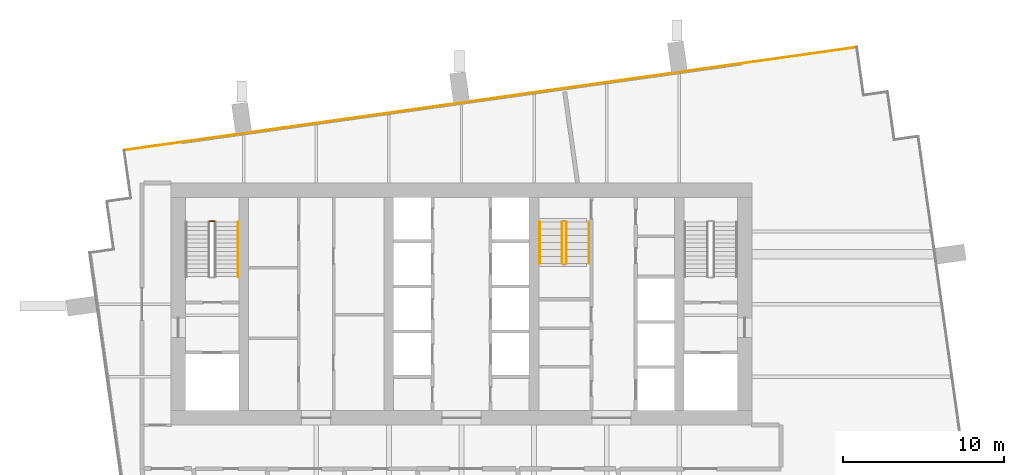
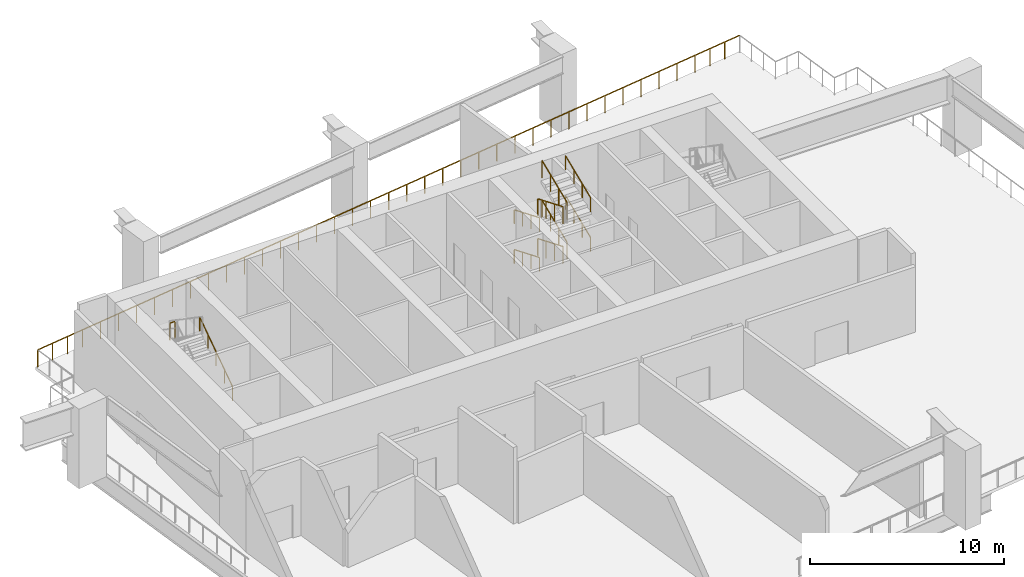
# One storey, part 9 of 10: 11 railings.
"""IFC4 building model written with IfcOpenShell, lengths in metres."""

from ifc_helpers import new_model, si_unit, direction, frame, origin, origin_2d, place, context, subcontext, project, spatial, rectangle, extrude, material, type_object, element, save


model = new_model("IFC4")

# Units and contexts
model_context = context("Model", 3, precision=1e-05, world=origin(), true_north=direction((0.0, 1.0)))
body_context = subcontext(model_context, "Body", "Model", "MODEL_VIEW")
ifc_project = project(units=[si_unit("LENGTHUNIT", "METRE"), si_unit("AREAUNIT", "SQUARE_METRE"), si_unit("VOLUMEUNIT", "CUBIC_METRE"), si_unit("PLANEANGLEUNIT", "RADIAN"), si_unit("MASSUNIT", "GRAM", prefix="KILO")], contexts=[model_context])

# Site, building, storey
site_placement = place(None, origin())
site = spatial("IfcSite", under=ifc_project, at=site_placement, CompositionType="ELEMENT")
building_placement = place(site_placement, origin())
building = spatial("IfcBuilding", under=site, at=building_placement, Name="Rattan Terrace Tower", CompositionType="ELEMENT")
storey_placement = place(building_placement, frame((0.0, 0.0, 244.699951171875)))
storey = spatial("IfcBuildingStorey", under=building, at=storey_placement, Name="L56", CompositionType="ELEMENT", Elevation=244.699951171875)

# Railings
ifc_material_1 = material(Name="Powder-coated steel guard", Category="steel")
railing_type_1 = type_object("IfcRailingType", Name="Core stair guard", PredefinedType="GUARDRAIL", material=ifc_material_1)
railing_1_placement = place(storey_placement, frame((-15.300048828125, 5.1298828125, 2.5)))
element("IfcRailing", 1, at=railing_1_placement, inside=storey, type_object=railing_type_1, Name="L56 S1 stair guard 2", PredefinedType="GUARDRAIL", context=body_context, shape_type="SweptSolid", body=[
    extrude(rectangle(XDim=0.048095703125, YDim=0.048095703125, at=origin_2d()), frame((0.0, 0.0, 1.076171875), z_axis=(-1.0, 0.0, 0.0), x_axis=(0.0, -1.0, 0.0)), (0.0, 0.0, 1.0), 0.300048828125),
    extrude(rectangle(XDim=0.0419921875, YDim=0.0419921875, at=origin_2d()), origin(), (0.0, 0.0, 1.0), 1.052001953125),
    extrude(rectangle(XDim=0.0419921875, YDim=0.0419921875, at=origin_2d()), frame((-0.300048828125, 0.0, 0.0)), (0.0, 0.0, 1.0), 1.052001953125),
])
railing_2_placement = place(storey_placement, frame((6.25, 5.10009765625, 0.1787109375)))
element("IfcRailing", 2, at=railing_2_placement, inside=storey, type_object=railing_type_1, Name="L56 S3 stair guard 1", PredefinedType="GUARDRAIL", context=body_context, shape_type="SweptSolid", body=[
    extrude(rectangle(XDim=0.048095703125, YDim=0.048095703125, at=origin_2d()), frame((0.0, 0.0, 1.076171875), z_axis=(0.0, -0.923551956913, 0.383473314433), x_axis=(1.0, 0.0, 0.0)), (0.0, 0.0, 1.0), 2.793701171875),
    extrude(rectangle(XDim=0.0419921875, YDim=0.0419921875, at=origin_2d()), origin(), (0.0, 0.0, 1.0), 1.052001953125),
    extrude(rectangle(XDim=0.0419921875, YDim=0.0419921875, at=origin_2d()), frame((0.0, -0.860107421875, 0.357177734375)), (0.0, 0.0, 1.0), 1.052001953125),
    extrude(rectangle(XDim=0.0419921875, YDim=0.0419921875, at=origin_2d()), frame((0.0, -1.719970703125, 0.714111328125)), (0.0, 0.0, 1.0), 1.052001953125),
    extrude(rectangle(XDim=0.0419921875, YDim=0.0419921875, at=origin_2d()), frame((0.0, -2.580078125, 1.0712890625)), (0.0, 0.0, 1.0), 1.052001953125),
])
railing_3_placement = place(storey_placement, frame((6.5, 2.52001953125, 1.4287109375)))
element("IfcRailing", 3, at=railing_3_placement, inside=storey, type_object=railing_type_1, Name="L56 S3 stair guard 3", PredefinedType="GUARDRAIL", context=body_context, shape_type="SweptSolid", body=[
    extrude(rectangle(XDim=0.048095703125, YDim=0.048095703125, at=origin_2d()), frame((0.0, 0.0, 1.076171875), z_axis=(0.0, 0.923551956913, 0.383473314433), x_axis=(-1.0, 0.0, 0.0)), (0.0, 0.0, 1.0), 2.793701171875),
    extrude(rectangle(XDim=0.0419921875, YDim=0.0419921875, at=origin_2d()), origin(), (0.0, 0.0, 1.0), 1.052001953125),
    extrude(rectangle(XDim=0.0419921875, YDim=0.0419921875, at=origin_2d()), frame((0.0, 0.860107421875, 0.357177734375)), (0.0, 0.0, 1.0), 1.052001953125),
    extrude(rectangle(XDim=0.0419921875, YDim=0.0419921875, at=origin_2d()), frame((0.0, 1.719970703125, 0.714111328125)), (0.0, 0.0, 1.0), 1.052001953125),
    extrude(rectangle(XDim=0.0419921875, YDim=0.0419921875, at=origin_2d()), frame((0.0, 2.580078125, 1.0712890625)), (0.0, 0.0, 1.0), 1.052001953125),
])
railing_4_placement = place(storey_placement, frame((6.25, 5.10009765625, 2.6787109375)))
element("IfcRailing", 4, at=railing_4_placement, inside=storey, type_object=railing_type_1, Name="L56 S3 stair guard 5", PredefinedType="GUARDRAIL", context=body_context, shape_type="SweptSolid", body=[
    extrude(rectangle(XDim=0.048095703125, YDim=0.048095703125, at=origin_2d()), frame((0.0, 0.0, 1.076171875), z_axis=(0.0, -0.923551956913, 0.383473314433), x_axis=(1.0, 0.0, 0.0)), (0.0, 0.0, 1.0), 2.793701171875),
    extrude(rectangle(XDim=0.0419921875, YDim=0.0419921875, at=origin_2d()), origin(), (0.0, 0.0, 1.0), 1.052001953125),
    extrude(rectangle(XDim=0.0419921875, YDim=0.0419921875, at=origin_2d()), frame((0.0, -0.860107421875, 0.357177734375)), (0.0, 0.0, 1.0), 1.052001953125),
    extrude(rectangle(XDim=0.0419921875, YDim=0.0419921875, at=origin_2d()), frame((0.0, -1.719970703125, 0.714111328125)), (0.0, 0.0, 1.0), 1.052001953125),
    extrude(rectangle(XDim=0.0419921875, YDim=0.0419921875, at=origin_2d()), frame((0.0, -2.580078125, 1.0712890625)), (0.0, 0.0, 1.0), 1.052001953125),
])
railing_5_placement = place(storey_placement, frame((6.5, 2.52001953125, 3.9287109375)))
element("IfcRailing", 5, at=railing_5_placement, inside=storey, type_object=railing_type_1, Name="L56 S3 stair guard 7", PredefinedType="GUARDRAIL", context=body_context, shape_type="SweptSolid", body=[
    extrude(rectangle(XDim=0.048095703125, YDim=0.048095703125, at=origin_2d()), frame((0.0, 0.0, 1.076171875), z_axis=(0.0, 0.923551956913, 0.383473314433), x_axis=(-1.0, 0.0, 0.0)), (0.0, 0.0, 1.0), 2.793701171875),
    extrude(rectangle(XDim=0.0419921875, YDim=0.0419921875, at=origin_2d()), origin(), (0.0, 0.0, 1.0), 1.052001953125),
    extrude(rectangle(XDim=0.0419921875, YDim=0.0419921875, at=origin_2d()), frame((0.0, 0.860107421875, 0.357177734375)), (0.0, 0.0, 1.0), 1.052001953125),
    extrude(rectangle(XDim=0.0419921875, YDim=0.0419921875, at=origin_2d()), frame((0.0, 1.719970703125, 0.714111328125)), (0.0, 0.0, 1.0), 1.052001953125),
    extrude(rectangle(XDim=0.0419921875, YDim=0.0419921875, at=origin_2d()), frame((0.0, 2.580078125, 1.0712890625)), (0.0, 0.0, 1.0), 1.052001953125),
])
ifc_material_2 = material(Name="Powder-coated steel handrail", Category="steel")
railing_type_2 = type_object("IfcRailingType", Name="Core stair handrail", PredefinedType="HANDRAIL", material=ifc_material_2)
railing_6_placement = place(storey_placement, frame((-13.85009765625, 1.699951171875, 0.1787109375)))
element("IfcRailing", 6, at=railing_6_placement, inside=storey, type_object=railing_type_2, Name="L56 S1 stair handrail 1", PredefinedType="HANDRAIL", context=body_context, shape_type="SweptSolid", body=[
    extrude(rectangle(XDim=0.048095703125, YDim=0.048095703125, at=origin_2d()), frame((0.0, 0.0, 0.8759765625), z_axis=(0.0, 0.824331935682, 0.566106756552), x_axis=(-1.0, 0.0, 0.0)), (0.0, 0.0, 1.0), 4.100341796875),
    extrude(rectangle(XDim=0.0419921875, YDim=0.0419921875, at=origin_2d()), origin(), (0.0, 0.0, 1.0), 0.851806640625),
    extrude(rectangle(XDim=0.0419921875, YDim=0.0419921875, at=origin_2d()), frame((0.0, 0.844970703125, 0.580322265625)), (0.0, 0.0, 1.0), 0.851806640625),
    extrude(rectangle(XDim=0.0419921875, YDim=0.0419921875, at=origin_2d()), frame((0.0, 1.68994140625, 1.16064453125)), (0.0, 0.0, 1.0), 0.851806640625),
    extrude(rectangle(XDim=0.0419921875, YDim=0.0419921875, at=origin_2d()), frame((0.0, 2.53515625, 1.740966796875)), (0.0, 0.0, 1.0), 0.851806640625),
    extrude(rectangle(XDim=0.0419921875, YDim=0.0419921875, at=origin_2d()), frame((0.0, 3.380126953125, 2.3212890625)), (0.0, 0.0, 1.0), 0.851806640625),
])
railing_7_placement = place(storey_placement, frame((4.85009765625, 5.10009765625, 0.1787109375)))
element("IfcRailing", 7, at=railing_7_placement, inside=storey, type_object=railing_type_2, Name="L56 S3 stair handrail 1", PredefinedType="HANDRAIL", context=body_context, shape_type="SweptSolid", body=[
    extrude(rectangle(XDim=0.048095703125, YDim=0.048095703125, at=origin_2d()), frame((0.0, 0.0, 0.8759765625), z_axis=(0.0, -0.923551956913, 0.383473314433), x_axis=(1.0, 0.0, 0.0)), (0.0, 0.0, 1.0), 2.793701171875),
    extrude(rectangle(XDim=0.0419921875, YDim=0.0419921875, at=origin_2d()), origin(), (0.0, 0.0, 1.0), 0.851806640625),
    extrude(rectangle(XDim=0.0419921875, YDim=0.0419921875, at=origin_2d()), frame((0.0, -0.860107421875, 0.357177734375)), (0.0, 0.0, 1.0), 0.851806640625),
    extrude(rectangle(XDim=0.0419921875, YDim=0.0419921875, at=origin_2d()), frame((0.0, -1.719970703125, 0.714111328125)), (0.0, 0.0, 1.0), 0.851806640625),
    extrude(rectangle(XDim=0.0419921875, YDim=0.0419921875, at=origin_2d()), frame((0.0, -2.580078125, 1.0712890625)), (0.0, 0.0, 1.0), 0.851806640625),
])
railing_8_placement = place(storey_placement, frame((7.89990234375, 2.52001953125, 1.4287109375)))
element("IfcRailing", 8, at=railing_8_placement, inside=storey, type_object=railing_type_2, Name="L56 S3 stair handrail 2", PredefinedType="HANDRAIL", context=body_context, shape_type="SweptSolid", body=[
    extrude(rectangle(XDim=0.048095703125, YDim=0.048095703125, at=origin_2d()), frame((0.0, 0.0, 0.8759765625), z_axis=(0.0, 0.923551956913, 0.383473314433), x_axis=(-1.0, 0.0, 0.0)), (0.0, 0.0, 1.0), 2.793701171875),
    extrude(rectangle(XDim=0.0419921875, YDim=0.0419921875, at=origin_2d()), origin(), (0.0, 0.0, 1.0), 0.851806640625),
    extrude(rectangle(XDim=0.0419921875, YDim=0.0419921875, at=origin_2d()), frame((0.0, 0.860107421875, 0.357177734375)), (0.0, 0.0, 1.0), 0.851806640625),
    extrude(rectangle(XDim=0.0419921875, YDim=0.0419921875, at=origin_2d()), frame((0.0, 1.719970703125, 0.714111328125)), (0.0, 0.0, 1.0), 0.851806640625),
    extrude(rectangle(XDim=0.0419921875, YDim=0.0419921875, at=origin_2d()), frame((0.0, 2.580078125, 1.0712890625)), (0.0, 0.0, 1.0), 0.851806640625),
])
railing_9_placement = place(storey_placement, frame((4.85009765625, 5.10009765625, 2.6787109375)))
element("IfcRailing", 9, at=railing_9_placement, inside=storey, type_object=railing_type_2, Name="L56 S3 stair handrail 3", PredefinedType="HANDRAIL", context=body_context, shape_type="SweptSolid", body=[
    extrude(rectangle(XDim=0.048095703125, YDim=0.048095703125, at=origin_2d()), frame((0.0, 0.0, 0.8759765625), z_axis=(0.0, -0.923551956913, 0.383473314433), x_axis=(1.0, 0.0, 0.0)), (0.0, 0.0, 1.0), 2.793701171875),
    extrude(rectangle(XDim=0.0419921875, YDim=0.0419921875, at=origin_2d()), origin(), (0.0, 0.0, 1.0), 0.851806640625),
    extrude(rectangle(XDim=0.0419921875, YDim=0.0419921875, at=origin_2d()), frame((0.0, -0.860107421875, 0.357177734375)), (0.0, 0.0, 1.0), 0.851806640625),
    extrude(rectangle(XDim=0.0419921875, YDim=0.0419921875, at=origin_2d()), frame((0.0, -1.719970703125, 0.714111328125)), (0.0, 0.0, 1.0), 0.851806640625),
    extrude(rectangle(XDim=0.0419921875, YDim=0.0419921875, at=origin_2d()), frame((0.0, -2.580078125, 1.0712890625)), (0.0, 0.0, 1.0), 0.851806640625),
])
railing_10_placement = place(storey_placement, frame((7.89990234375, 2.52001953125, 3.9287109375)))
element("IfcRailing", 10, at=railing_10_placement, inside=storey, type_object=railing_type_2, Name="L56 S3 stair handrail 4", PredefinedType="HANDRAIL", context=body_context, shape_type="SweptSolid", body=[
    extrude(rectangle(XDim=0.048095703125, YDim=0.048095703125, at=origin_2d()), frame((0.0, 0.0, 0.8759765625), z_axis=(0.0, 0.923551956913, 0.383473314433), x_axis=(-1.0, 0.0, 0.0)), (0.0, 0.0, 1.0), 2.793701171875),
    extrude(rectangle(XDim=0.0419921875, YDim=0.0419921875, at=origin_2d()), origin(), (0.0, 0.0, 1.0), 0.851806640625),
    extrude(rectangle(XDim=0.0419921875, YDim=0.0419921875, at=origin_2d()), frame((0.0, 0.860107421875, 0.357177734375)), (0.0, 0.0, 1.0), 0.851806640625),
    extrude(rectangle(XDim=0.0419921875, YDim=0.0419921875, at=origin_2d()), frame((0.0, 1.719970703125, 0.714111328125)), (0.0, 0.0, 1.0), 0.851806640625),
    extrude(rectangle(XDim=0.0419921875, YDim=0.0419921875, at=origin_2d()), frame((0.0, 2.580078125, 1.0712890625)), (0.0, 0.0, 1.0), 0.851806640625),
])
ifc_material_3 = material(Name="Stainless steel 316", Category="steel")
railing_type_3 = type_object("IfcRailingType", Name="Facade Guard 1100", PredefinedType="GUARDRAIL", material=ifc_material_3)
railing_11_placement = place(storey_placement, frame((-20.89990234375, 9.541015625, 0.0)))
element("IfcRailing", 11, at=railing_11_placement, inside=storey, type_object=railing_type_3, Name="Guard L56-11", PredefinedType="GUARDRAIL", context=body_context, shape_type="SweptSolid", body=[
    extrude(rectangle(XDim=0.048095703125, YDim=0.048095703125, at=origin_2d()), frame((0.0, 0.0, 1.076171875), z_axis=(0.990241622406, 0.13936114686, 0.0), x_axis=(-0.13936114686, 0.990241622406, 0.0)), (0.0, 0.0, 1.0), 2.92041015625),
    extrude(rectangle(XDim=0.048095703125, YDim=0.048095703125, at=origin_2d()), frame((2.891845703125, 0.406982421875, 1.076171875), z_axis=(0.990267872444, 0.139174497682, 0.0), x_axis=(-0.139174497682, 0.990267872444, 0.0)), (0.0, 0.0, 1.0), 39.999267578125),
    extrude(rectangle(XDim=0.048095703125, YDim=0.048095703125, at=origin_2d()), frame((42.501953125, 5.973876953125, 1.076171875), z_axis=(0.990287717845, 0.139033218639, 0.0), x_axis=(-0.139033218639, 0.990287717845, 0.0)), (0.0, 0.0, 1.0), 2.920166015625),
    extrude(rectangle(XDim=0.0419921875, YDim=0.0419921875, at=origin_2d()), origin(), (0.0, 0.0, 1.0), 1.052001953125),
    extrude(rectangle(XDim=0.0419921875, YDim=0.0419921875, at=origin_2d()), frame((0.9638671875, 0.1357421875, 0.0)), (0.0, 0.0, 1.0), 1.052001953125),
    extrude(rectangle(XDim=0.0419921875, YDim=0.0419921875, at=origin_2d()), frame((1.927978515625, 0.271240234375, 0.0)), (0.0, 0.0, 1.0), 1.052001953125),
    extrude(rectangle(XDim=0.0419921875, YDim=0.0419921875, at=origin_2d()), frame((2.891845703125, 0.406982421875, 0.0)), (0.0, 0.0, 1.0), 1.052001953125),
    extrude(rectangle(XDim=0.0419921875, YDim=0.0419921875, at=origin_2d()), frame((4.056884765625, 0.57080078125, 0.0)), (0.0, 0.0, 1.0), 1.052001953125),
    extrude(rectangle(XDim=0.0419921875, YDim=0.0419921875, at=origin_2d()), frame((5.221923828125, 0.734375, 0.0)), (0.0, 0.0, 1.0), 1.052001953125),
    extrude(rectangle(XDim=0.0419921875, YDim=0.0419921875, at=origin_2d()), frame((6.386962890625, 0.898193359375, 0.0)), (0.0, 0.0, 1.0), 1.052001953125),
    extrude(rectangle(XDim=0.0419921875, YDim=0.0419921875, at=origin_2d()), frame((7.5517578125, 1.06201171875, 0.0)), (0.0, 0.0, 1.0), 1.052001953125),
    extrude(rectangle(XDim=0.0419921875, YDim=0.0419921875, at=origin_2d()), frame((8.716796875, 1.2255859375, 0.0)), (0.0, 0.0, 1.0), 1.052001953125),
    extrude(rectangle(XDim=0.0419921875, YDim=0.0419921875, at=origin_2d()), frame((9.8818359375, 1.389404296875, 0.0)), (0.0, 0.0, 1.0), 1.052001953125),
    extrude(rectangle(XDim=0.0419921875, YDim=0.0419921875, at=origin_2d()), frame((11.046875, 1.55322265625, 0.0)), (0.0, 0.0, 1.0), 1.052001953125),
    extrude(rectangle(XDim=0.0419921875, YDim=0.0419921875, at=origin_2d()), frame((12.2119140625, 1.716796875, 0.0)), (0.0, 0.0, 1.0), 1.052001953125),
    extrude(rectangle(XDim=0.0419921875, YDim=0.0419921875, at=origin_2d()), frame((13.376953125, 1.880615234375, 0.0)), (0.0, 0.0, 1.0), 1.052001953125),
    extrude(rectangle(XDim=0.0419921875, YDim=0.0419921875, at=origin_2d()), frame((14.5419921875, 2.044189453125, 0.0)), (0.0, 0.0, 1.0), 1.052001953125),
    extrude(rectangle(XDim=0.0419921875, YDim=0.0419921875, at=origin_2d()), frame((15.706787109375, 2.2080078125, 0.0)), (0.0, 0.0, 1.0), 1.052001953125),
    extrude(rectangle(XDim=0.0419921875, YDim=0.0419921875, at=origin_2d()), frame((16.871826171875, 2.371826171875, 0.0)), (0.0, 0.0, 1.0), 1.052001953125),
    extrude(rectangle(XDim=0.0419921875, YDim=0.0419921875, at=origin_2d()), frame((18.036865234375, 2.535400390625, 0.0)), (0.0, 0.0, 1.0), 1.052001953125),
    extrude(rectangle(XDim=0.0419921875, YDim=0.0419921875, at=origin_2d()), frame((19.201904296875, 2.69921875, 0.0)), (0.0, 0.0, 1.0), 1.052001953125),
    extrude(rectangle(XDim=0.0419921875, YDim=0.0419921875, at=origin_2d()), frame((20.366943359375, 2.863037109375, 0.0)), (0.0, 0.0, 1.0), 1.052001953125),
    extrude(rectangle(XDim=0.0419921875, YDim=0.0419921875, at=origin_2d()), frame((21.531982421875, 3.026611328125, 0.0)), (0.0, 0.0, 1.0), 1.052001953125),
    extrude(rectangle(XDim=0.0419921875, YDim=0.0419921875, at=origin_2d()), frame((22.69677734375, 3.1904296875, 0.0)), (0.0, 0.0, 1.0), 1.052001953125),
    extrude(rectangle(XDim=0.0419921875, YDim=0.0419921875, at=origin_2d()), frame((23.86181640625, 3.354248046875, 0.0)), (0.0, 0.0, 1.0), 1.052001953125),
    extrude(rectangle(XDim=0.0419921875, YDim=0.0419921875, at=origin_2d()), frame((25.02685546875, 3.517822265625, 0.0)), (0.0, 0.0, 1.0), 1.052001953125),
    extrude(rectangle(XDim=0.0419921875, YDim=0.0419921875, at=origin_2d()), frame((26.19189453125, 3.681640625, 0.0)), (0.0, 0.0, 1.0), 1.052001953125),
    extrude(rectangle(XDim=0.0419921875, YDim=0.0419921875, at=origin_2d()), frame((27.35693359375, 3.845458984375, 0.0)), (0.0, 0.0, 1.0), 1.052001953125),
    extrude(rectangle(XDim=0.0419921875, YDim=0.0419921875, at=origin_2d()), frame((28.52197265625, 4.009033203125, 0.0)), (0.0, 0.0, 1.0), 1.052001953125),
    extrude(rectangle(XDim=0.0419921875, YDim=0.0419921875, at=origin_2d()), frame((29.68701171875, 4.1728515625, 0.0)), (0.0, 0.0, 1.0), 1.052001953125),
    extrude(rectangle(XDim=0.0419921875, YDim=0.0419921875, at=origin_2d()), frame((30.851806640625, 4.336669921875, 0.0)), (0.0, 0.0, 1.0), 1.052001953125),
    extrude(rectangle(XDim=0.0419921875, YDim=0.0419921875, at=origin_2d()), frame((32.016845703125, 4.500244140625, 0.0)), (0.0, 0.0, 1.0), 1.052001953125),
    extrude(rectangle(XDim=0.0419921875, YDim=0.0419921875, at=origin_2d()), frame((33.181884765625, 4.6640625, 0.0)), (0.0, 0.0, 1.0), 1.052001953125),
    extrude(rectangle(XDim=0.0419921875, YDim=0.0419921875, at=origin_2d()), frame((34.346923828125, 4.82763671875, 0.0)), (0.0, 0.0, 1.0), 1.052001953125),
    extrude(rectangle(XDim=0.0419921875, YDim=0.0419921875, at=origin_2d()), frame((35.511962890625, 4.991455078125, 0.0)), (0.0, 0.0, 1.0), 1.052001953125),
    extrude(rectangle(XDim=0.0419921875, YDim=0.0419921875, at=origin_2d()), frame((36.677001953125, 5.1552734375, 0.0)), (0.0, 0.0, 1.0), 1.052001953125),
    extrude(rectangle(XDim=0.0419921875, YDim=0.0419921875, at=origin_2d()), frame((37.842041015625, 5.31884765625, 0.0)), (0.0, 0.0, 1.0), 1.052001953125),
    extrude(rectangle(XDim=0.0419921875, YDim=0.0419921875, at=origin_2d()), frame((39.0068359375, 5.482666015625, 0.0)), (0.0, 0.0, 1.0), 1.052001953125),
    extrude(rectangle(XDim=0.0419921875, YDim=0.0419921875, at=origin_2d()), frame((40.171875, 5.646484375, 0.0)), (0.0, 0.0, 1.0), 1.052001953125),
    extrude(rectangle(XDim=0.0419921875, YDim=0.0419921875, at=origin_2d()), frame((41.3369140625, 5.81005859375, 0.0)), (0.0, 0.0, 1.0), 1.052001953125),
    extrude(rectangle(XDim=0.0419921875, YDim=0.0419921875, at=origin_2d()), frame((42.501953125, 5.973876953125, 0.0)), (0.0, 0.0, 1.0), 1.052001953125),
    extrude(rectangle(XDim=0.0419921875, YDim=0.0419921875, at=origin_2d()), frame((43.4658203125, 6.109130859375, 0.0)), (0.0, 0.0, 1.0), 1.052001953125),
    extrude(rectangle(XDim=0.0419921875, YDim=0.0419921875, at=origin_2d()), frame((44.429931640625, 6.24462890625, 0.0)), (0.0, 0.0, 1.0), 1.052001953125),
])

save(model, "model.ifc")
